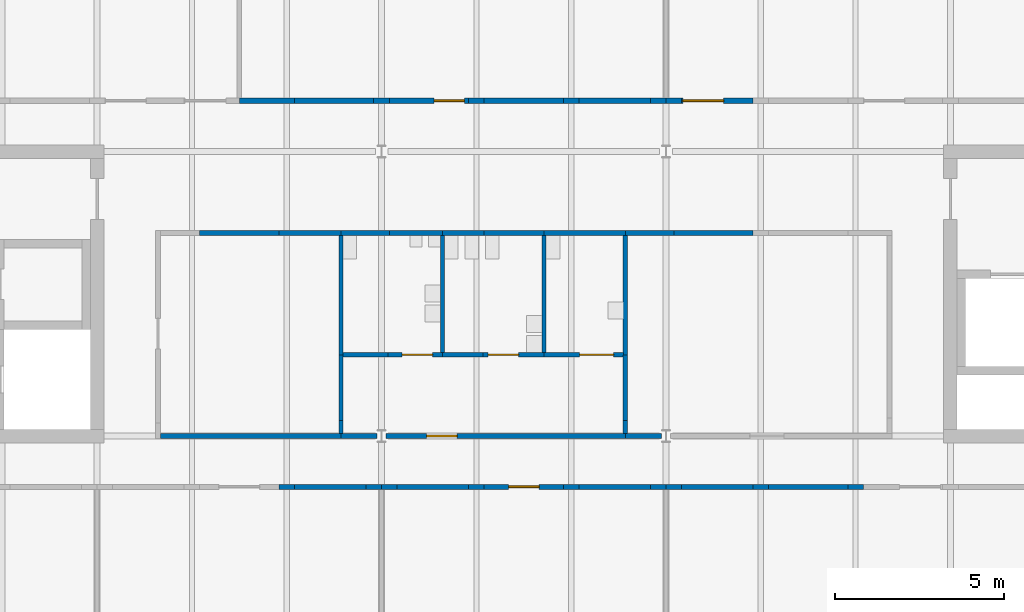
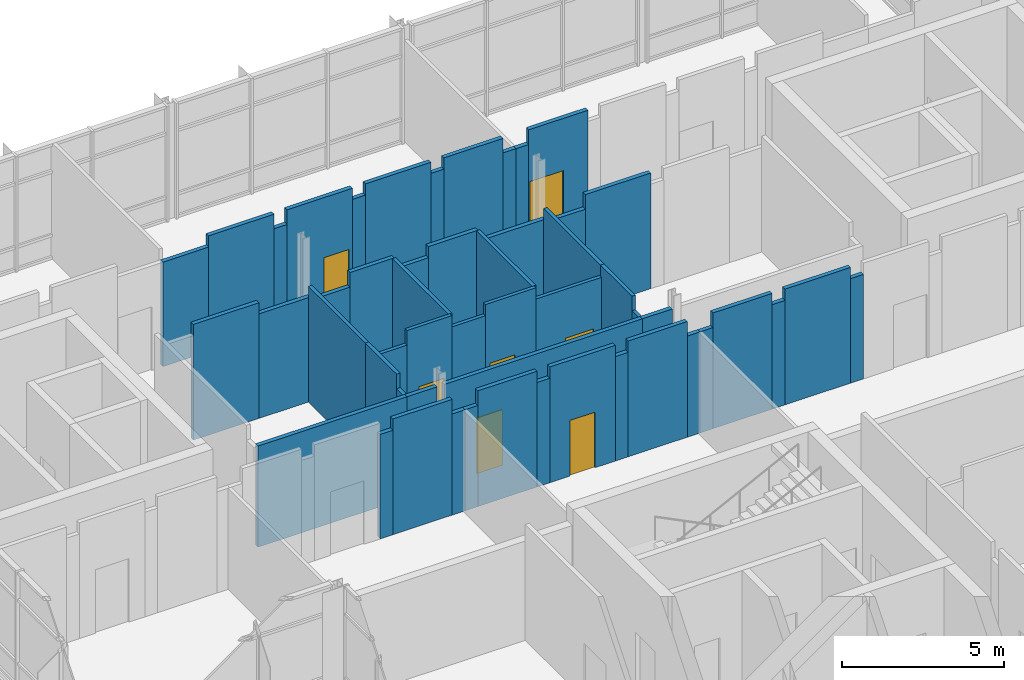
# One storey, part 38 of 76: 52 walls, 7 doors, 7 openings.
"""IFC4 building model written with IfcOpenShell, lengths in metres."""

from ifc_helpers import new_model, si_unit, direction, frame, frame_2d, origin, place, context, subcontext, project, spatial, rectangle, extrude, material, layer, layer_set, type_object, element, fill, save


model = new_model("IFC4")

# Units and contexts
model_context = context("Model", 3, precision=1e-05, world=origin(), true_north=direction((0.0, 1.0)))
body_context = subcontext(model_context, "Body", "Model", "MODEL_VIEW")
ifc_project = project(units=[si_unit("LENGTHUNIT", "METRE"), si_unit("AREAUNIT", "SQUARE_METRE"), si_unit("VOLUMEUNIT", "CUBIC_METRE"), si_unit("PLANEANGLEUNIT", "RADIAN"), si_unit("MASSUNIT", "GRAM", prefix="KILO")], contexts=[model_context])

# Site, building, storey
site_placement = place(None, origin())
site = spatial("IfcSite", under=ifc_project, at=site_placement, CompositionType="ELEMENT")
building_placement = place(site_placement, origin())
building = spatial("IfcBuilding", under=site, at=building_placement, Name="Hlaing Beacon Police Headquarters", CompositionType="ELEMENT")
storey_placement = place(building_placement, frame((0.0, 0.0, 18.89990234375)))
storey = spatial("IfcBuildingStorey", under=building, at=storey_placement, Name="L04", CompositionType="ELEMENT", Elevation=18.89990234375)

# Walls
ifc_material_1 = material(Name="Gypsum board partition")
ifc_layer_1 = layer(ifc_material_1, 0.14990234375)
ifc_layer_set_1 = layer_set([ifc_layer_1], Name="Gypsum board partition")
wall_type_1 = type_object("IfcWallType", Name="Corridor wall EI 30 150", PredefinedType="PARTITIONING", material=ifc_layer_set_1)
wall_1_placement = place(storey_placement, frame((102.675048828125, 75.60009765625, 0.0), z_axis=(0.0, 0.0, 1.0), x_axis=(1.0, 0.0, 0.0)))
element("IfcWall", 1, at=wall_1_placement, inside=storey, type_object=wall_type_1, Name="Corridor wall EI 30 150", PredefinedType="PARTITIONING", context=body_context, shape_type="SweptSolid", body=[
    extrude(rectangle(XDim=5.324951171875, YDim=0.14990234375, at=frame_2d((2.66259765625, 0.0))), origin(), (0.0, 0.0, 1.0), 3.819091796875),
])
wall_2_placement = place(storey_placement, frame((103.830078125, 81.60009765625, 0.0), z_axis=(0.0, 0.0, 1.0), x_axis=(1.0, 0.0, 0.0)))
element("IfcWall", 2, at=wall_2_placement, inside=storey, type_object=wall_type_1, Name="Corridor wall EI 30 150", PredefinedType="PARTITIONING", context=body_context, shape_type="SweptSolid", body=[
    extrude(rectangle(XDim=2.33984375, YDim=0.14990234375, at=frame_2d((1.169921875, 0.0))), origin(), (0.0, 0.0, 1.0), 4.3701171875),
])
wall_3_placement = place(storey_placement, frame((106.169921875, 81.60009765625, 0.0), z_axis=(0.0, 0.0, 1.0), x_axis=(1.0, 0.0, 0.0)))
element("IfcWall", 3, at=wall_3_placement, inside=storey, type_object=wall_type_1, Name="Corridor wall EI 30 150", PredefinedType="PARTITIONING", context=body_context, shape_type="SweptSolid", body=[
    extrude(rectangle(XDim=1.830078125, YDim=0.14990234375, at=frame_2d((0.9150390625, 0.0))), origin(), (0.0, 0.0, 1.0), 3.946044921875),
])
wall_4_placement = place(storey_placement, frame((114.0, 81.60009765625, 0.0), z_axis=(0.0, 0.0, 1.0), x_axis=(1.0, 0.0, 0.0)))
element("IfcWall", 4, at=wall_4_placement, inside=storey, type_object=wall_type_1, Name="Corridor wall EI 30 150", PredefinedType="PARTITIONING", context=body_context, shape_type="SweptSolid", body=[
    extrude(rectangle(XDim=2.39990234375, YDim=0.14990234375, at=frame_2d((1.199951171875, 0.0))), origin(), (0.0, 0.0, 1.0), 3.946044921875),
])
wall_5_placement = place(storey_placement, frame((111.0, 81.60009765625, 0.0), z_axis=(0.0, 0.0, 1.0), x_axis=(1.0, 0.0, 0.0)))
element("IfcWall", 5, at=wall_5_placement, inside=storey, type_object=wall_type_1, Name="Corridor wall EI 30 150", PredefinedType="PARTITIONING", context=body_context, shape_type="SweptSolid", body=[
    extrude(rectangle(XDim=1.22998046875, YDim=0.14990234375, at=frame_2d((0.614990234375, 0.0))), origin(), (0.0, 0.0, 1.0), 3.946044921875),
])
wall_6_placement = place(storey_placement, frame((112.22998046875, 81.60009765625, 0.0), z_axis=(0.0, 0.0, 1.0), x_axis=(1.0, 0.0, 0.0)))
element("IfcWall", 6, at=wall_6_placement, inside=storey, type_object=wall_type_1, Name="Corridor wall EI 30 150", PredefinedType="PARTITIONING", context=body_context, shape_type="SweptSolid", body=[
    extrude(rectangle(XDim=1.77001953125, YDim=0.14990234375, at=frame_2d((0.885009765625, 0.0))), origin(), (0.0, 0.0, 1.0), 4.3701171875),
])
wall_7_placement = place(storey_placement, frame((108.0, 75.60009765625, 0.0), z_axis=(0.0, 0.0, 1.0), x_axis=(1.0, 0.0, 0.0)))
element("IfcWall", 7, at=wall_7_placement, inside=storey, type_object=wall_type_1, Name="Corridor wall EI 30 150", PredefinedType="PARTITIONING", context=body_context, shape_type="SweptSolid", body=[
    extrude(rectangle(XDim=1.072021484375, YDim=0.14990234375, at=frame_2d((0.5361328125, 0.0))), origin(), (0.0, 0.0, 1.0), 3.819091796875),
])

# Wall, opening, door
wall_8_placement = place(storey_placement, frame((109.3291015625, 75.60009765625, 0.0), z_axis=(0.0, 0.0, 1.0), x_axis=(1.0, 0.0, 0.0)))
wall_8 = element("IfcWall", 8, at=wall_8_placement, inside=storey, type_object=wall_type_1, Name="Corridor wall EI 30 150", PredefinedType="PARTITIONING", context=body_context, shape_type="SweptSolid", body=[
    extrude(rectangle(XDim=7.07080078125, YDim=0.14990234375, at=frame_2d((3.535400390625, 0.0))), origin(), (0.0, 0.0, 1.0), 3.819091796875),
])
opening_1_placement = place(wall_8_placement, frame((1.199951171875, 0.0, 0.0)))
opening_1 = element("IfcOpeningElement", 9, at=opening_1_placement, cuts=wall_8, Name="Opening L04-024", PredefinedType="OPENING", context=body_context, shape_type="SweptSolid", body=[
    extrude(rectangle(XDim=0.89990234375, YDim=2.10009765625, at=frame_2d((0.449951171875, 1.050048828125))), frame((0.0, 0.0849609375, 0.0), z_axis=(0.0, -1.0, 0.0), x_axis=(1.0, 0.0, 0.0)), (0.0, 0.0, 1.0), 0.169921875),
])
ifc_material_2 = material(Name="Hardwood door leaf", Category="wood")
ifc_layer_2 = layer(ifc_material_2, 0.050048828125)
ifc_layer_set_2 = layer_set([ifc_layer_2], Name="Hardwood door leaf")
door_type_1 = type_object("IfcDoorType", Name="Fire door FD30S 900x2100", OperationType="SINGLE_SWING_LEFT", PredefinedType="DOOR", material=ifc_layer_set_2)
door_1_placement = place(opening_1_placement, origin())
door_1 = element("IfcDoor", 10, at=door_1_placement, inside=storey, type_object=door_type_1, Name="Door WC Lobby", OperationType="SINGLE_SWING_LEFT", OverallHeight=2.10009765625, OverallWidth=0.89990234375, PredefinedType="DOOR", context=body_context, shape_type="SweptSolid", body=[
    extrude(rectangle(XDim=0.89990234375, YDim=2.10009765625, at=frame_2d((0.449951171875, 1.050048828125))), frame((0.0, 0.02490234375, 0.0), z_axis=(0.0, -1.0, 0.0), x_axis=(1.0, 0.0, 0.0)), (0.0, 0.0, 1.0), 0.050048828125),
])
fill(opening_1, door_1)

# Walls
wall_9_placement = place(storey_placement, frame((108.0, 81.60009765625, 0.0), z_axis=(0.0, 0.0, 1.0), x_axis=(1.0, 0.0, 0.0)))
element("IfcWall", 11, at=wall_9_placement, inside=storey, type_object=wall_type_1, Name="Corridor wall EI 30 150", PredefinedType="PARTITIONING", context=body_context, shape_type="SweptSolid", body=[
    extrude(rectangle(XDim=1.429931640625, YDim=0.14990234375, at=frame_2d((0.71484375, 0.0))), origin(), (0.0, 0.0, 1.0), 3.819091796875),
])
wall_10_placement = place(storey_placement, frame((109.429931640625, 81.60009765625, 0.0), z_axis=(0.0, 0.0, 1.0), x_axis=(1.0, 0.0, 0.0)))
element("IfcWall", 12, at=wall_10_placement, inside=storey, type_object=wall_type_1, Name="Corridor wall EI 30 150", PredefinedType="PARTITIONING", context=body_context, shape_type="SweptSolid", body=[
    extrude(rectangle(XDim=1.570068359375, YDim=0.14990234375, at=frame_2d((0.78515625, 0.0))), origin(), (0.0, 0.0, 1.0), 4.3701171875),
])
wall_11_placement = place(storey_placement, frame((116.39990234375, 75.60009765625, 0.0), z_axis=(0.0, 0.0, 1.0), x_axis=(1.0, 0.0, 0.0)))
element("IfcWall", 13, at=wall_11_placement, inside=storey, type_object=wall_type_1, Name="Corridor wall EI 30 150", PredefinedType="PARTITIONING", context=body_context, shape_type="SweptSolid", body=[
    extrude(rectangle(XDim=1.071044921875, YDim=0.14990234375, at=frame_2d((0.53564453125, 0.0))), origin(), (0.0, 0.0, 1.0), 3.819091796875),
])
wall_12_placement = place(storey_placement, frame((116.39990234375, 81.60009765625, 0.0), z_axis=(0.0, 0.0, 1.0), x_axis=(1.0, 0.0, 0.0)))
element("IfcWall", 14, at=wall_12_placement, inside=storey, type_object=wall_type_1, Name="Corridor wall EI 30 150", PredefinedType="PARTITIONING", context=body_context, shape_type="SweptSolid", body=[
    extrude(rectangle(XDim=1.43017578125, YDim=0.14990234375, at=frame_2d((0.715087890625, 0.0))), origin(), (0.0, 0.0, 1.0), 3.819091796875),
])
wall_13_placement = place(storey_placement, frame((117.830078125, 81.60009765625, 0.0), z_axis=(0.0, 0.0, 1.0), x_axis=(1.0, 0.0, 0.0)))
element("IfcWall", 15, at=wall_13_placement, inside=storey, type_object=wall_type_1, Name="Corridor wall EI 30 150", PredefinedType="PARTITIONING", context=body_context, shape_type="SweptSolid", body=[
    extrude(rectangle(XDim=2.33984375, YDim=0.14990234375, at=frame_2d((1.169921875, 0.0))), origin(), (0.0, 0.0, 1.0), 4.3701171875),
])
wall_14_placement = place(storey_placement, frame((105.0, 85.5, 0.0), z_axis=(0.0, 0.0, 1.0), x_axis=(1.0, 0.0, 0.0)))
element("IfcWall", 16, at=wall_14_placement, inside=storey, type_object=wall_type_1, Name="Corridor wall EI 30 150", PredefinedType="PARTITIONING", context=body_context, shape_type="SweptSolid", body=[
    extrude(rectangle(XDim=1.6298828125, YDim=0.14990234375, at=frame_2d((0.81494140625, 0.0))), origin(), (0.0, 0.0, 1.0), 3.946044921875),
])
wall_15_placement = place(storey_placement, frame((106.6298828125, 85.5, 0.0), z_axis=(0.0, 0.0, 1.0), x_axis=(1.0, 0.0, 0.0)))
element("IfcWall", 17, at=wall_15_placement, inside=storey, type_object=wall_type_1, Name="Corridor wall EI 30 150", PredefinedType="PARTITIONING", context=body_context, shape_type="SweptSolid", body=[
    extrude(rectangle(XDim=2.340087890625, YDim=0.14990234375, at=frame_2d((1.169921875, 0.0))), origin(), (0.0, 0.0, 1.0), 4.3701171875),
])
wall_16_placement = place(storey_placement, frame((108.969970703125, 85.5, 0.0), z_axis=(0.0, 0.0, 1.0), x_axis=(1.0, 0.0, 0.0)))
element("IfcWall", 18, at=wall_16_placement, inside=storey, type_object=wall_type_1, Name="Corridor wall EI 30 150", PredefinedType="PARTITIONING", context=body_context, shape_type="SweptSolid", body=[
    extrude(rectangle(XDim=0.4599609375, YDim=0.14990234375, at=frame_2d((0.22998046875, 0.0))), origin(), (0.0, 0.0, 1.0), 3.819091796875),
])

# Wall, opening, door
wall_17_placement = place(storey_placement, frame((109.429931640625, 85.5, 0.0), z_axis=(0.0, 0.0, 1.0), x_axis=(1.0, 0.0, 0.0)))
wall_17 = element("IfcWall", 19, at=wall_17_placement, inside=storey, type_object=wall_type_1, Name="Corridor wall EI 30 150", PredefinedType="PARTITIONING", context=body_context, shape_type="SweptSolid", body=[
    extrude(rectangle(XDim=2.340087890625, YDim=0.14990234375, at=frame_2d((1.169921875, 0.0))), origin(), (0.0, 0.0, 1.0), 4.3701171875),
])
opening_2_placement = place(wall_17_placement, frame((1.320068359375, 0.0, 0.0)))
opening_2 = element("IfcOpeningElement", 20, at=opening_2_placement, cuts=wall_17, Name="Opening L04-029", PredefinedType="OPENING", context=body_context, shape_type="SweptSolid", body=[
    extrude(rectangle(XDim=0.89990234375, YDim=2.10009765625, at=frame_2d((0.449951171875, 1.050048828125))), frame((0.0, 0.0849609375, 0.0), z_axis=(0.0, -1.0, 0.0), x_axis=(1.0, 0.0, 0.0)), (0.0, 0.0, 1.0), 0.169921875),
])
door_2_placement = place(opening_2_placement, origin())
door_2 = element("IfcDoor", 21, at=door_2_placement, inside=storey, type_object=door_type_1, Name="Door Training Offices", OperationType="SINGLE_SWING_RIGHT", OverallHeight=2.10009765625, OverallWidth=0.89990234375, PredefinedType="DOOR", context=body_context, shape_type="SweptSolid", body=[
    extrude(rectangle(XDim=0.89990234375, YDim=2.10009765625, at=frame_2d((0.449951171875, 1.050048828125))), frame((0.0, 0.02490234375, 0.0), z_axis=(0.0, -1.0, 0.0), x_axis=(1.0, 0.0, 0.0)), (0.0, 0.0, 1.0), 0.050048828125),
])
fill(opening_2, door_2)

# Walls
wall_18_placement = place(storey_placement, frame((111.77001953125, 85.5, 0.0), z_axis=(0.0, 0.0, 1.0), x_axis=(1.0, 0.0, 0.0)))
element("IfcWall", 22, at=wall_18_placement, inside=storey, type_object=wall_type_1, Name="Corridor wall EI 30 150", PredefinedType="PARTITIONING", context=body_context, shape_type="SweptSolid", body=[
    extrude(rectangle(XDim=0.4599609375, YDim=0.14990234375, at=frame_2d((0.22998046875, 0.0))), origin(), (0.0, 0.0, 1.0), 3.946044921875),
])
wall_19_placement = place(storey_placement, frame((112.22998046875, 85.5, 0.0), z_axis=(0.0, 0.0, 1.0), x_axis=(1.0, 0.0, 0.0)))
element("IfcWall", 23, at=wall_19_placement, inside=storey, type_object=wall_type_1, Name="Corridor wall EI 30 150", PredefinedType="PARTITIONING", context=body_context, shape_type="SweptSolid", body=[
    extrude(rectangle(XDim=2.340087890625, YDim=0.14990234375, at=frame_2d((1.169921875, 0.0))), origin(), (0.0, 0.0, 1.0), 4.3701171875),
])
wall_20_placement = place(storey_placement, frame((114.570068359375, 85.5, 0.0), z_axis=(0.0, 0.0, 1.0), x_axis=(1.0, 0.0, 0.0)))
element("IfcWall", 24, at=wall_20_placement, inside=storey, type_object=wall_type_1, Name="Corridor wall EI 30 150", PredefinedType="PARTITIONING", context=body_context, shape_type="SweptSolid", body=[
    extrude(rectangle(XDim=0.4599609375, YDim=0.14990234375, at=frame_2d((0.22998046875, 0.0))), origin(), (0.0, 0.0, 1.0), 3.946044921875),
])
wall_21_placement = place(storey_placement, frame((115.030029296875, 85.5, 0.0), z_axis=(0.0, 0.0, 1.0), x_axis=(1.0, 0.0, 0.0)))
element("IfcWall", 25, at=wall_21_placement, inside=storey, type_object=wall_type_1, Name="Corridor wall EI 30 150", PredefinedType="PARTITIONING", context=body_context, shape_type="SweptSolid", body=[
    extrude(rectangle(XDim=2.10986328125, YDim=0.14990234375, at=frame_2d((1.054931640625, 0.0))), origin(), (0.0, 0.0, 1.0), 4.3701171875),
])
wall_22_placement = place(storey_placement, frame((117.139892578125, 85.5, 0.0), z_axis=(0.0, 0.0, 1.0), x_axis=(1.0, 0.0, 0.0)))
element("IfcWall", 26, at=wall_22_placement, inside=storey, type_object=wall_type_1, Name="Corridor wall EI 30 150", PredefinedType="PARTITIONING", context=body_context, shape_type="SweptSolid", body=[
    extrude(rectangle(XDim=0.460205078125, YDim=0.14990234375, at=frame_2d((0.22998046875, 0.0))), origin(), (0.0, 0.0, 1.0), 3.819091796875),
])
wall_23_placement = place(storey_placement, frame((117.60009765625, 85.5, 0.0), z_axis=(0.0, 0.0, 1.0), x_axis=(1.0, 0.0, 0.0)))
element("IfcWall", 27, at=wall_23_placement, inside=storey, type_object=wall_type_1, Name="Corridor wall EI 30 150", PredefinedType="PARTITIONING", context=body_context, shape_type="SweptSolid", body=[
    extrude(rectangle(XDim=0.4599609375, YDim=0.14990234375, at=frame_2d((0.22998046875, 0.0))), origin(), (0.0, 0.0, 1.0), 3.819091796875),
])

# Wall, opening, door
wall_24_placement = place(storey_placement, frame((118.06005859375, 85.5, 0.0), z_axis=(0.0, 0.0, 1.0), x_axis=(1.0, 0.0, 0.0)))
wall_24 = element("IfcWall", 28, at=wall_24_placement, inside=storey, type_object=wall_type_1, Name="Corridor wall EI 30 150", PredefinedType="PARTITIONING", context=body_context, shape_type="SweptSolid", body=[
    extrude(rectangle(XDim=2.10986328125, YDim=0.14990234375, at=frame_2d((1.054931640625, 0.0))), origin(), (0.0, 0.0, 1.0), 4.3701171875),
])
opening_3_placement = place(wall_24_placement, frame((0.0400390625, 0.0, 0.0)))
opening_3 = element("IfcOpeningElement", 29, at=opening_3_placement, cuts=wall_24, Name="Opening L04-030", PredefinedType="OPENING", context=body_context, shape_type="SweptSolid", body=[
    extrude(rectangle(XDim=1.199951171875, YDim=2.39990234375, at=frame_2d((0.60009765625, 1.199951171875))), frame((0.0, 0.0849609375, 0.0), z_axis=(0.0, -1.0, 0.0), x_axis=(1.0, 0.0, 0.0)), (0.0, 0.0, 1.0), 0.169921875),
])
ifc_material_3 = material(Name="Hardwood door leaf", Category="wood")
ifc_layer_3 = layer(ifc_material_3, 0.050048828125)
ifc_layer_set_3 = layer_set([ifc_layer_3], Name="Hardwood door leaf")
door_type_2 = type_object("IfcDoorType", Name="Fire public door FD30S 1200x2400", OperationType="SINGLE_SWING_LEFT", PredefinedType="DOOR", material=ifc_layer_set_3)
door_3_placement = place(opening_3_placement, frame((1.199951171875, 0.0, 0.0), z_axis=(0.0, 0.0, 1.0), x_axis=(-1.0, 0.0, 0.0)))
door_3 = element("IfcDoor", 30, at=door_3_placement, inside=storey, type_object=door_type_2, Name="Door First Aid Training Room", OperationType="SINGLE_SWING_RIGHT", OverallHeight=2.39990234375, OverallWidth=1.199951171875, PredefinedType="DOOR", context=body_context, shape_type="SweptSolid", body=[
    extrude(rectangle(XDim=1.199951171875, YDim=2.39990234375, at=frame_2d((0.599853515625, 1.199951171875))), frame((0.0, 0.025146484375, 0.0), z_axis=(0.0, -1.0, 0.0), x_axis=(1.0, 0.0, 0.0)), (0.0, 0.0, 1.0), 0.050048828125),
])
fill(opening_3, door_3)

# Walls
wall_25_placement = place(storey_placement, frame((106.169921875, 74.10009765625, 0.0), z_axis=(0.0, 0.0, 1.0), x_axis=(1.0, 0.0, 0.0)))
element("IfcWall", 31, at=wall_25_placement, inside=storey, type_object=wall_type_1, Name="Corridor wall EI 30 150", PredefinedType="PARTITIONING", context=body_context, shape_type="SweptSolid", body=[
    extrude(rectangle(XDim=0.4599609375, YDim=0.14990234375, at=frame_2d((0.22998046875, 0.0))), origin(), (0.0, 0.0, 1.0), 3.946044921875),
])
wall_26_placement = place(storey_placement, frame((106.6298828125, 74.10009765625, 0.0), z_axis=(0.0, 0.0, 1.0), x_axis=(1.0, 0.0, 0.0)))
element("IfcWall", 32, at=wall_26_placement, inside=storey, type_object=wall_type_1, Name="Corridor wall EI 30 150", PredefinedType="PARTITIONING", context=body_context, shape_type="SweptSolid", body=[
    extrude(rectangle(XDim=2.110107421875, YDim=0.14990234375, at=frame_2d((1.05517578125, 0.0))), origin(), (0.0, 0.0, 1.0), 4.3701171875),
])
for number, where, z_axis, x_axis, name in (
    (33, (108.739990234375, 74.10009765625, 0.0), (0.0, 0.0, 1.0), (1.0, 0.0, 0.0), "Corridor wall EI 30 150"),
    (34, (109.199951171875, 74.10009765625, 0.0), (0.0, 0.0, 1.0), (1.0, 0.0, 0.0), "Corridor wall EI 30 150"),
):
    element("IfcWall", number, at=place(storey_placement, frame(where, z_axis=z_axis, x_axis=x_axis)), inside=storey, type_object=wall_type_1, Name=name, PredefinedType="PARTITIONING", context=body_context, shape_type="SweptSolid", body=[
        extrude(rectangle(XDim=0.4599609375, YDim=0.14990234375, at=frame_2d((0.22998046875, 0.0))), origin(), (0.0, 0.0, 1.0), 3.819091796875),
    ])
wall_27_placement = place(storey_placement, frame((109.659912109375, 74.10009765625, 0.0), z_axis=(0.0, 0.0, 1.0), x_axis=(1.0, 0.0, 0.0)))
element("IfcWall", 35, at=wall_27_placement, inside=storey, type_object=wall_type_1, Name="Corridor wall EI 30 150", PredefinedType="PARTITIONING", context=body_context, shape_type="SweptSolid", body=[
    extrude(rectangle(XDim=2.110107421875, YDim=0.14990234375, at=frame_2d((1.05517578125, 0.0))), origin(), (0.0, 0.0, 1.0), 4.3701171875),
])
wall_28_placement = place(storey_placement, frame((111.77001953125, 74.10009765625, 0.0), z_axis=(0.0, 0.0, 1.0), x_axis=(1.0, 0.0, 0.0)))
element("IfcWall", 36, at=wall_28_placement, inside=storey, type_object=wall_type_1, Name="Corridor wall EI 30 150", PredefinedType="PARTITIONING", context=body_context, shape_type="SweptSolid", body=[
    extrude(rectangle(XDim=0.4599609375, YDim=0.14990234375, at=frame_2d((0.22998046875, 0.0))), origin(), (0.0, 0.0, 1.0), 3.946044921875),
])

# Wall, opening, door
wall_29_placement = place(storey_placement, frame((112.22998046875, 74.10009765625, 0.0), z_axis=(0.0, 0.0, 1.0), x_axis=(1.0, 0.0, 0.0)))
wall_29 = element("IfcWall", 37, at=wall_29_placement, inside=storey, type_object=wall_type_1, Name="Corridor wall EI 30 150", PredefinedType="PARTITIONING", context=body_context, shape_type="SweptSolid", body=[
    extrude(rectangle(XDim=2.340087890625, YDim=0.14990234375, at=frame_2d((1.169921875, 0.0))), origin(), (0.0, 0.0, 1.0), 4.3701171875),
])
opening_4_placement = place(wall_29_placement, frame((0.719970703125, 0.0, 0.0)))
opening_4 = element("IfcOpeningElement", 38, at=opening_4_placement, cuts=wall_29, Name="Opening L04-035", PredefinedType="OPENING", context=body_context, shape_type="SweptSolid", body=[
    extrude(rectangle(XDim=0.89990234375, YDim=2.10009765625, at=frame_2d((0.449951171875, 1.050048828125))), frame((0.0, 0.0849609375, 0.0), z_axis=(0.0, -1.0, 0.0), x_axis=(1.0, 0.0, 0.0)), (0.0, 0.0, 1.0), 0.169921875),
])
door_4_placement = place(opening_4_placement, frame((0.89990234375, 0.0, 0.0), z_axis=(0.0, 0.0, 1.0), x_axis=(-1.0, 0.0, 0.0)))
door_4 = element("IfcDoor", 39, at=door_4_placement, inside=storey, type_object=door_type_1, Name="Door Training Equipment Room", OperationType="SINGLE_SWING_RIGHT", OverallHeight=2.10009765625, OverallWidth=0.89990234375, PredefinedType="DOOR", context=body_context, shape_type="SweptSolid", body=[
    extrude(rectangle(XDim=0.89990234375, YDim=2.10009765625, at=frame_2d((0.449951171875, 1.050048828125))), frame((0.0, 0.025146484375, 0.0), z_axis=(0.0, -1.0, 0.0), x_axis=(1.0, 0.0, 0.0)), (0.0, 0.0, 1.0), 0.050048828125),
])
fill(opening_4, door_4)

# Walls
wall_30_placement = place(storey_placement, frame((114.570068359375, 74.10009765625, 0.0), z_axis=(0.0, 0.0, 1.0), x_axis=(1.0, 0.0, 0.0)))
element("IfcWall", 40, at=wall_30_placement, inside=storey, type_object=wall_type_1, Name="Corridor wall EI 30 150", PredefinedType="PARTITIONING", context=body_context, shape_type="SweptSolid", body=[
    extrude(rectangle(XDim=0.4599609375, YDim=0.14990234375, at=frame_2d((0.22998046875, 0.0))), origin(), (0.0, 0.0, 1.0), 3.946044921875),
])
wall_31_placement = place(storey_placement, frame((115.030029296875, 74.10009765625, 0.0), z_axis=(0.0, 0.0, 1.0), x_axis=(1.0, 0.0, 0.0)))
element("IfcWall", 41, at=wall_31_placement, inside=storey, type_object=wall_type_1, Name="Corridor wall EI 30 150", PredefinedType="PARTITIONING", context=body_context, shape_type="SweptSolid", body=[
    extrude(rectangle(XDim=2.10986328125, YDim=0.14990234375, at=frame_2d((1.054931640625, 0.0))), origin(), (0.0, 0.0, 1.0), 4.3701171875),
])
wall_32_placement = place(storey_placement, frame((117.139892578125, 74.10009765625, 0.0), z_axis=(0.0, 0.0, 1.0), x_axis=(1.0, 0.0, 0.0)))
element("IfcWall", 42, at=wall_32_placement, inside=storey, type_object=wall_type_1, Name="Corridor wall EI 30 150", PredefinedType="PARTITIONING", context=body_context, shape_type="SweptSolid", body=[
    extrude(rectangle(XDim=0.460205078125, YDim=0.14990234375, at=frame_2d((0.22998046875, 0.0))), origin(), (0.0, 0.0, 1.0), 3.819091796875),
])
wall_33_placement = place(storey_placement, frame((117.60009765625, 74.10009765625, 0.0), z_axis=(0.0, 0.0, 1.0), x_axis=(1.0, 0.0, 0.0)))
element("IfcWall", 43, at=wall_33_placement, inside=storey, type_object=wall_type_1, Name="Corridor wall EI 30 150", PredefinedType="PARTITIONING", context=body_context, shape_type="SweptSolid", body=[
    extrude(rectangle(XDim=0.4599609375, YDim=0.14990234375, at=frame_2d((0.22998046875, 0.0))), origin(), (0.0, 0.0, 1.0), 3.819091796875),
])
wall_34_placement = place(storey_placement, frame((118.06005859375, 74.10009765625, 0.0), z_axis=(0.0, 0.0, 1.0), x_axis=(1.0, 0.0, 0.0)))
element("IfcWall", 44, at=wall_34_placement, inside=storey, type_object=wall_type_1, Name="Corridor wall EI 30 150", PredefinedType="PARTITIONING", context=body_context, shape_type="SweptSolid", body=[
    extrude(rectangle(XDim=2.10986328125, YDim=0.14990234375, at=frame_2d((1.054931640625, 0.0))), origin(), (0.0, 0.0, 1.0), 4.3701171875),
])
wall_35_placement = place(storey_placement, frame((120.169921875, 74.10009765625, 0.0), z_axis=(0.0, 0.0, 1.0), x_axis=(1.0, 0.0, 0.0)))
element("IfcWall", 45, at=wall_35_placement, inside=storey, type_object=wall_type_1, Name="Corridor wall EI 30 150", PredefinedType="PARTITIONING", context=body_context, shape_type="SweptSolid", body=[
    extrude(rectangle(XDim=0.4599609375, YDim=0.14990234375, at=frame_2d((0.22998046875, 0.0))), origin(), (0.0, 0.0, 1.0), 3.946044921875),
])
wall_36_placement = place(storey_placement, frame((120.6298828125, 74.10009765625, 0.0), z_axis=(0.0, 0.0, 1.0), x_axis=(1.0, 0.0, 0.0)))
element("IfcWall", 46, at=wall_36_placement, inside=storey, type_object=wall_type_1, Name="Corridor wall EI 30 150", PredefinedType="PARTITIONING", context=body_context, shape_type="SweptSolid", body=[
    extrude(rectangle(XDim=2.340087890625, YDim=0.14990234375, at=frame_2d((1.169921875, 0.0))), origin(), (0.0, 0.0, 1.0), 4.3701171875),
])
wall_37_placement = place(storey_placement, frame((122.969970703125, 74.10009765625, 0.0), z_axis=(0.0, 0.0, 1.0), x_axis=(1.0, 0.0, 0.0)))
element("IfcWall", 47, at=wall_37_placement, inside=storey, type_object=wall_type_1, Name="Corridor wall EI 30 150", PredefinedType="PARTITIONING", context=body_context, shape_type="SweptSolid", body=[
    extrude(rectangle(XDim=0.4599609375, YDim=0.14990234375, at=frame_2d((0.22998046875, 0.0))), origin(), (0.0, 0.0, 1.0), 3.946044921875),
])
ifc_material_4 = material(Name="Gypsum board partition")
ifc_layer_4 = layer(ifc_material_4, 0.125)
ifc_layer_set_4 = layer_set([ifc_layer_4], Name="Gypsum board partition")
wall_type_2 = type_object("IfcWallType", Name="Partition 125", PredefinedType="PARTITIONING", material=ifc_layer_set_4)
wall_38_placement = place(storey_placement, frame((108.0, 75.675048828125, 0.0), z_axis=(0.0, 0.0, 1.0), x_axis=(0.0, 1.0, 0.0)))
element("IfcWall", 48, at=wall_38_placement, inside=storey, type_object=wall_type_2, Name="Partition 125", PredefinedType="PARTITIONING", context=body_context, shape_type="SweptSolid", body=[
    extrude(rectangle(XDim=0.385009765625, YDim=0.125, at=frame_2d((0.1923828125, 0.0))), origin(), (0.0, 0.0, 1.0), 3.819091796875),
])
wall_39_placement = place(storey_placement, frame((108.0, 76.06005859375, 0.0), z_axis=(0.0, 0.0, 1.0), x_axis=(0.0, 1.0, 0.0)))
element("IfcWall", 49, at=wall_39_placement, inside=storey, type_object=wall_type_2, Name="Partition 125", PredefinedType="PARTITIONING", context=body_context, shape_type="SweptSolid", body=[
    extrude(rectangle(XDim=1.93994140625, YDim=0.125, at=frame_2d((0.969970703125, 0.0))), origin(), (0.0, 0.0, 1.0), 4.3701171875),
])
wall_40_placement = place(storey_placement, frame((108.0, 78.0, 0.0), z_axis=(0.0, 0.0, 1.0), x_axis=(0.0, 1.0, 0.0)))
element("IfcWall", 50, at=wall_40_placement, inside=storey, type_object=wall_type_2, Name="Partition 125", PredefinedType="PARTITIONING", context=body_context, shape_type="SweptSolid", body=[
    extrude(rectangle(XDim=3.52490234375, YDim=0.125, at=frame_2d((1.762451171875, 0.0))), origin(), (0.0, 0.0, 1.0), 4.3701171875),
])
wall_41_placement = place(storey_placement, frame((114.0, 78.06201171875, 0.0), z_axis=(0.0, 0.0, 1.0), x_axis=(0.0, 1.0, 0.0)))
element("IfcWall", 51, at=wall_41_placement, inside=storey, type_object=wall_type_2, Name="Partition 125", PredefinedType="PARTITIONING", context=body_context, shape_type="SweptSolid", body=[
    extrude(rectangle(XDim=3.462890625, YDim=0.125, at=frame_2d((1.7314453125, 0.0))), origin(), (0.0, 0.0, 1.0), 4.3701171875),
])

# Wall, opening, door
wall_42_placement = place(storey_placement, frame((114.0, 78.0, 0.0), z_axis=(0.0, 0.0, 1.0), x_axis=(1.0, 0.0, 0.0)))
wall_42 = element("IfcWall", 52, at=wall_42_placement, inside=storey, type_object=wall_type_2, Name="Partition 125", PredefinedType="PARTITIONING", context=body_context, shape_type="SweptSolid", body=[
    extrude(rectangle(XDim=2.337890625, YDim=0.125, at=frame_2d((1.1689453125, 0.0))), origin(), (0.0, 0.0, 1.0), 3.946044921875),
])
opening_5_placement = place(wall_42_placement, frame((1.050048828125, 0.0, 0.0)))
opening_5 = element("IfcOpeningElement", 53, at=opening_5_placement, cuts=wall_42, Name="Opening L04-022", PredefinedType="OPENING", context=body_context, shape_type="SweptSolid", body=[
    extrude(rectangle(XDim=1.0, YDim=2.10009765625, at=frame_2d((0.5, 1.050048828125))), frame((0.0, 0.072509765625, 0.0), z_axis=(0.0, -1.0, 0.0), x_axis=(1.0, 0.0, 0.0)), (0.0, 0.0, 1.0), 0.14501953125),
])
ifc_material_5 = material(Name="Hardwood door leaf", Category="wood")
ifc_layer_5 = layer(ifc_material_5, 0.0400390625)
ifc_layer_set_5 = layer_set([ifc_layer_5], Name="Hardwood door leaf")
door_type_3 = type_object("IfcDoorType", Name="Door 1000x2100", OperationType="SINGLE_SWING_LEFT", PredefinedType="DOOR", material=ifc_layer_set_5)
door_5_placement = place(opening_5_placement, origin())
door_5 = element("IfcDoor", 54, at=door_5_placement, inside=storey, type_object=door_type_3, Name="Door Accessible WC", OperationType="SINGLE_SWING_LEFT", OverallHeight=2.10009765625, OverallWidth=1.0, PredefinedType="DOOR", context=body_context, shape_type="SweptSolid", body=[
    extrude(rectangle(XDim=1.0, YDim=2.10009765625, at=frame_2d((0.5, 1.050048828125))), frame((0.0, 0.02001953125, 0.0), z_axis=(0.0, -1.0, 0.0), x_axis=(1.0, 0.0, 0.0)), (0.0, 0.0, 1.0), 0.0400390625),
])
fill(opening_5, door_5)

# Walls
wall_43_placement = place(storey_placement, frame((116.39990234375, 78.0, 0.0), z_axis=(0.0, 0.0, 1.0), x_axis=(0.0, 1.0, 0.0)))
element("IfcWall", 55, at=wall_43_placement, inside=storey, type_object=wall_type_2, Name="Partition 125", PredefinedType="PARTITIONING", context=body_context, shape_type="SweptSolid", body=[
    extrude(rectangle(XDim=3.52490234375, YDim=0.125, at=frame_2d((1.762451171875, 0.0))), origin(), (0.0, 0.0, 1.0), 4.3701171875),
])
wall_44_placement = place(storey_placement, frame((111.0, 78.0, 0.0), z_axis=(0.0, 0.0, 1.0), x_axis=(1.0, 0.0, 0.0)))
element("IfcWall", 56, at=wall_44_placement, inside=storey, type_object=wall_type_2, Name="Partition 125", PredefinedType="PARTITIONING", context=body_context, shape_type="SweptSolid", body=[
    extrude(rectangle(XDim=1.19189453125, YDim=0.125, at=frame_2d((0.595947265625, 0.0))), origin(), (0.0, 0.0, 1.0), 3.946044921875),
])

# Wall, opening, door
wall_45_placement = place(storey_placement, frame((112.19189453125, 78.0, 0.0), z_axis=(0.0, 0.0, 1.0), x_axis=(1.0, 0.0, 0.0)))
wall_45 = element("IfcWall", 57, at=wall_45_placement, inside=storey, type_object=wall_type_2, Name="Partition 125", PredefinedType="PARTITIONING", context=body_context, shape_type="SweptSolid", body=[
    extrude(rectangle(XDim=1.80810546875, YDim=0.125, at=frame_2d((0.904052734375, 0.0))), origin(), (0.0, 0.0, 1.0), 4.3701171875),
])
opening_6_placement = place(wall_45_placement, frame((0.157958984375, 0.0, 0.0)))
opening_6 = element("IfcOpeningElement", 58, at=opening_6_placement, cuts=wall_45, Name="Opening L04-023", PredefinedType="OPENING", context=body_context, shape_type="SweptSolid", body=[
    extrude(rectangle(XDim=0.89990234375, YDim=2.10009765625, at=frame_2d((0.449951171875, 1.050048828125))), frame((0.0, 0.072509765625, 0.0), z_axis=(0.0, -1.0, 0.0), x_axis=(1.0, 0.0, 0.0)), (0.0, 0.0, 1.0), 0.14501953125),
])
ifc_material_6 = material(Name="Hardwood door leaf", Category="wood")
ifc_layer_6 = layer(ifc_material_6, 0.0400390625)
ifc_layer_set_6 = layer_set([ifc_layer_6], Name="Hardwood door leaf")
door_type_4 = type_object("IfcDoorType", Name="Door 900x2100", OperationType="SINGLE_SWING_LEFT", PredefinedType="DOOR", material=ifc_layer_set_6)
door_6_placement = place(opening_6_placement, origin())
door_6 = element("IfcDoor", 59, at=door_6_placement, inside=storey, type_object=door_type_4, Name="Door Female WC", OperationType="SINGLE_SWING_LEFT", OverallHeight=2.10009765625, OverallWidth=0.89990234375, PredefinedType="DOOR", context=body_context, shape_type="SweptSolid", body=[
    extrude(rectangle(XDim=0.89990234375, YDim=2.10009765625, at=frame_2d((0.449951171875, 1.050048828125))), frame((0.0, 0.02001953125, 0.0), z_axis=(0.0, -1.0, 0.0), x_axis=(1.0, 0.0, 0.0)), (0.0, 0.0, 1.0), 0.0400390625),
])
fill(opening_6, door_6)

# Walls
wall_46_placement = place(storey_placement, frame((111.0, 78.06201171875, 0.0), z_axis=(0.0, 0.0, 1.0), x_axis=(0.0, 1.0, 0.0)))
element("IfcWall", 60, at=wall_46_placement, inside=storey, type_object=wall_type_2, Name="Partition 125", PredefinedType="PARTITIONING", context=body_context, shape_type="SweptSolid", body=[
    extrude(rectangle(XDim=3.462890625, YDim=0.125, at=frame_2d((1.7314453125, 0.0))), origin(), (0.0, 0.0, 1.0), 4.3701171875),
])
wall_47_placement = place(storey_placement, frame((108.06201171875, 78.0, 0.0), z_axis=(0.0, 0.0, 1.0), x_axis=(1.0, 0.0, 0.0)))
element("IfcWall", 61, at=wall_47_placement, inside=storey, type_object=wall_type_2, Name="Partition 125", PredefinedType="PARTITIONING", context=body_context, shape_type="SweptSolid", body=[
    extrude(rectangle(XDim=1.330078125, YDim=0.125, at=frame_2d((0.6650390625, 0.0))), origin(), (0.0, 0.0, 1.0), 3.819091796875),
])

# Wall, opening, door
wall_48_placement = place(storey_placement, frame((109.39208984375, 78.0, 0.0), z_axis=(0.0, 0.0, 1.0), x_axis=(1.0, 0.0, 0.0)))
wall_48 = element("IfcWall", 62, at=wall_48_placement, inside=storey, type_object=wall_type_2, Name="Partition 125", PredefinedType="PARTITIONING", context=body_context, shape_type="SweptSolid", body=[
    extrude(rectangle(XDim=1.60791015625, YDim=0.125, at=frame_2d((0.803955078125, 0.0))), origin(), (0.0, 0.0, 1.0), 4.3701171875),
])
opening_7_placement = place(wall_48_placement, frame((0.4189453125, 0.0, 0.0)))
opening_7 = element("IfcOpeningElement", 63, at=opening_7_placement, cuts=wall_48, Name="Opening L04-025", PredefinedType="OPENING", context=body_context, shape_type="SweptSolid", body=[
    extrude(rectangle(XDim=0.89990234375, YDim=2.10009765625, at=frame_2d((0.449951171875, 1.050048828125))), frame((0.0, 0.072509765625, 0.0), z_axis=(0.0, -1.0, 0.0), x_axis=(1.0, 0.0, 0.0)), (0.0, 0.0, 1.0), 0.14501953125),
])
door_7_placement = place(opening_7_placement, origin())
door_7 = element("IfcDoor", 64, at=door_7_placement, inside=storey, type_object=door_type_4, Name="Door Male WC", OperationType="SINGLE_SWING_LEFT", OverallHeight=2.10009765625, OverallWidth=0.89990234375, PredefinedType="DOOR", context=body_context, shape_type="SweptSolid", body=[
    extrude(rectangle(XDim=0.89990234375, YDim=2.10009765625, at=frame_2d((0.449951171875, 1.050048828125))), frame((0.0, 0.02001953125, 0.0), z_axis=(0.0, -1.0, 0.0), x_axis=(1.0, 0.0, 0.0)), (0.0, 0.0, 1.0), 0.0400390625),
])
fill(opening_7, door_7)

# Walls
wall_49_placement = place(storey_placement, frame((116.39990234375, 75.675048828125, 0.0), z_axis=(0.0, 0.0, 1.0), x_axis=(0.0, 1.0, 0.0)))
element("IfcWall", 65, at=wall_49_placement, inside=storey, type_object=wall_type_2, Name="Partition 125", PredefinedType="PARTITIONING", context=body_context, shape_type="SweptSolid", body=[
    extrude(rectangle(XDim=0.385009765625, YDim=0.125, at=frame_2d((0.1923828125, 0.0))), origin(), (0.0, 0.0, 1.0), 3.819091796875),
])
wall_50_placement = place(storey_placement, frame((116.39990234375, 76.06005859375, 0.0), z_axis=(0.0, 0.0, 1.0), x_axis=(0.0, 1.0, 0.0)))
element("IfcWall", 66, at=wall_50_placement, inside=storey, type_object=wall_type_2, Name="Partition 125", PredefinedType="PARTITIONING", context=body_context, shape_type="SweptSolid", body=[
    extrude(rectangle(XDim=1.93994140625, YDim=0.125, at=frame_2d((0.969970703125, 0.0))), origin(), (0.0, 0.0, 1.0), 4.3701171875),
])

save(model, "model.ifc")
